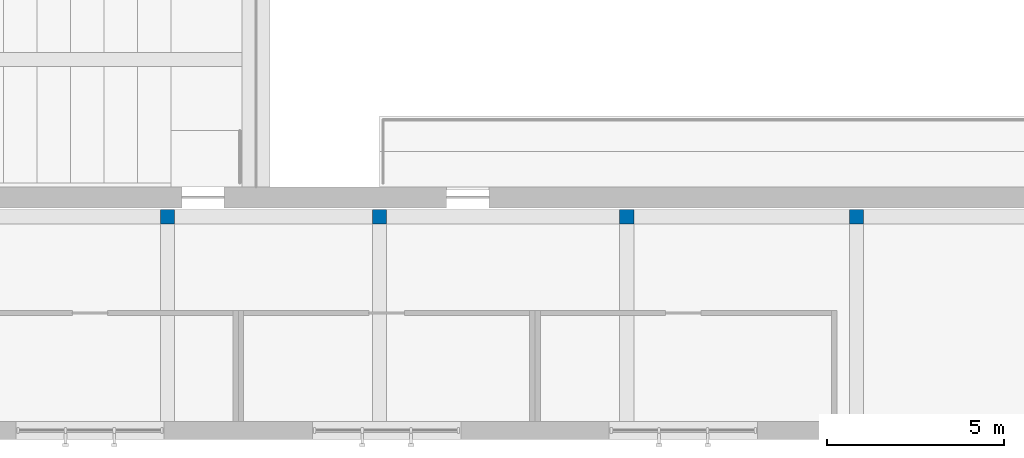
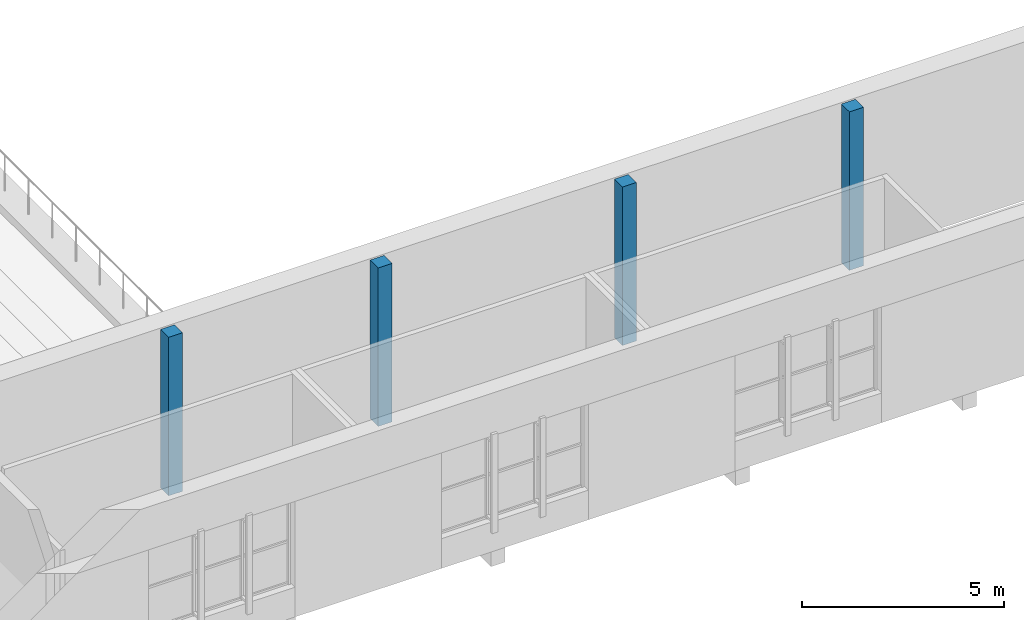
# One storey, part 3 of 116: 4 columns.
"""IFC4 building model written with IfcOpenShell, lengths in metres."""

from ifc_helpers import new_model, si_unit, direction, frame, origin, origin_2d, place, context, subcontext, project, spatial, rectangle, extrude, material, material_profile, profile_set, type_object, element, save


model = new_model("IFC4")

# Units and contexts
model_context = context("Model", 3, precision=1e-05, world=origin(), true_north=direction((0.0, 1.0)))
body_context = subcontext(model_context, "Body", "Model", "MODEL_VIEW")
ifc_project = project(units=[si_unit("LENGTHUNIT", "METRE"), si_unit("AREAUNIT", "SQUARE_METRE"), si_unit("VOLUMEUNIT", "CUBIC_METRE"), si_unit("PLANEANGLEUNIT", "RADIAN"), si_unit("MASSUNIT", "GRAM", prefix="KILO")], contexts=[model_context])

# Site, building, storey
site_placement = place(None, origin())
site = spatial("IfcSite", under=ifc_project, at=site_placement, CompositionType="ELEMENT")
building_placement = place(site_placement, origin())
building = spatial("IfcBuilding", under=site, at=building_placement, Name="Ljudholm Concert House", CompositionType="ELEMENT")
storey_placement = place(building_placement, frame((0.0, 0.0, 10.199951171875)))
storey = spatial("IfcBuildingStorey", under=building, at=storey_placement, Name="L02", CompositionType="ELEMENT", Elevation=10.199951171875)

# Columns
ifc_material = material(Name="Concrete 6,500 psi", Category="concrete")
ifc_material_profile = material_profile(ifc_material, rectangle(XDim=0.39990234375, YDim=0.39990234375, at=origin_2d()), Name="RC COLUMN 400x400")
ifc_profile_set = profile_set([ifc_material_profile], Name="Concrete 6,500 psi")
column_type = type_object("IfcColumnType", Name="RC COLUMN 400x400", PredefinedType="COLUMN", material=ifc_profile_set)
for number, where, z_axis, x_axis, name in (
    (1, (44.0, 60.449951171875, 0.0), (0.0, 0.0, 1.0), (1.0, 0.0, 0.0), "Ring column"),
    (2, (50.0, 60.449951171875, 0.0), (0.0, 0.0, 1.0), (1.0, 0.0, 0.0), "Ring column"),
    (3, (57.0, 60.449951171875, 0.0), (0.0, 0.0, 1.0), (1.0, 0.0, 0.0), "Ring column"),
    (4, (63.5, 60.449951171875, 0.0), (0.0, 0.0, 1.0), (1.0, 0.0, 0.0), "Ring column"),
):
    element("IfcColumn", number, at=place(storey_placement, frame(where, z_axis=z_axis, x_axis=x_axis)), inside=storey, type_object=column_type, Name=name, PredefinedType="COLUMN", context=body_context, shape_type="SweptSolid", body=[
        extrude(rectangle(XDim=0.39990234375, YDim=0.39990234375, at=origin_2d()), origin(), (0.0, 0.0, 1.0), 4.800048828125),
    ])

save(model, "model.ifc")
